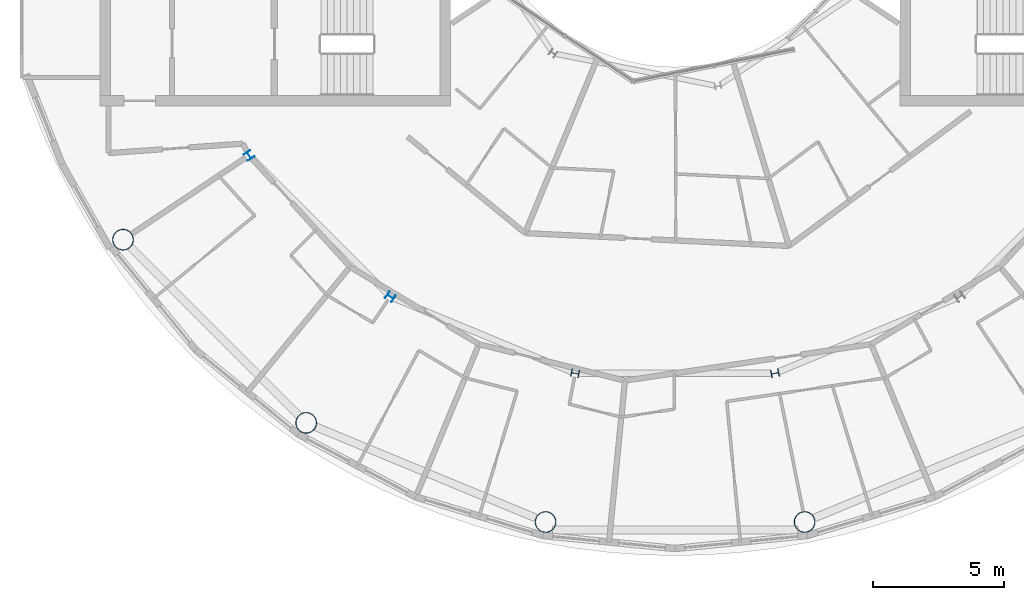
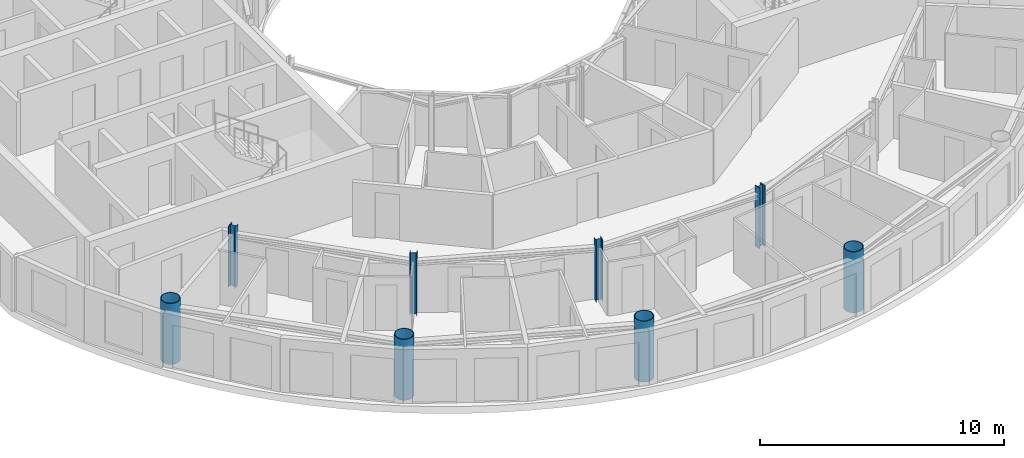
# One storey, part 1 of 22: 8 columns.
"""IFC4 building model written with IfcOpenShell, lengths in metres."""

from ifc_helpers import new_model, si_unit, direction, frame, origin, origin_2d, place, context, subcontext, project, spatial, hollow_circle, i_section, extrude, material, material_profile, profile_set, type_object, element, save


model = new_model("IFC4")

# Units and contexts
model_context = context("Model", 3, precision=1e-05, world=origin(), true_north=direction((0.0, 1.0)))
body_context = subcontext(model_context, "Body", "Model", "MODEL_VIEW")
ifc_project = project(units=[si_unit("LENGTHUNIT", "METRE"), si_unit("AREAUNIT", "SQUARE_METRE"), si_unit("VOLUMEUNIT", "CUBIC_METRE"), si_unit("PLANEANGLEUNIT", "RADIAN"), si_unit("MASSUNIT", "GRAM", prefix="KILO")], contexts=[model_context])

# Site, building, storey
site_placement = place(None, origin())
site = spatial("IfcSite", under=ifc_project, at=site_placement, CompositionType="ELEMENT")
building_placement = place(site_placement, origin())
building = spatial("IfcBuilding", under=site, at=building_placement, Name="Maasbend Ring Residences", CompositionType="ELEMENT")
storey_placement = place(building_placement, frame((0.0, 0.0, 237.10009765625)))
storey = spatial("IfcBuildingStorey", under=building, at=storey_placement, Name="L68", CompositionType="ELEMENT", Elevation=237.10009765625)

# Columns
ifc_material_1 = material(Name="Composite concrete-filled steel tube S460NH / C80/95", Category="concrete")
ifc_material_profile_1 = material_profile(ifc_material_1, hollow_circle(Radius=0.406494140625, WallThickness=0.030029296875, at=origin_2d()), Name="Composite tube column CHS 813x30")
ifc_profile_set_1 = profile_set([ifc_material_profile_1], Name="Composite concrete-filled steel tube S460NH / C80/95")
column_type_1 = type_object("IfcColumnType", Name="Composite tube column CHS 813x30", PredefinedType="COLUMN", material=ifc_profile_set_1)
for number, where, z_axis, x_axis, name in (
    (1, (-21.119384765625, -14.111572265625, 0.0), (0.0, 0.0, 1.0), (1.0, 0.0, 0.0), "Outer column R10"),
    (2, (-14.111572265625, -21.119384765625, 0.0), (0.0, 0.0, 1.0), (1.0, 0.0, 0.0), "Outer column R11"),
    (3, (-4.955322265625, -24.911865234375, 0.0), (0.0, 0.0, 1.0), (1.0, 0.0, 0.0), "Outer column R12"),
    (4, (4.955322265625, -24.911865234375, 0.0), (0.0, 0.0, 1.0), (1.0, 0.0, 0.0), "Outer column R13"),
):
    element("IfcColumn", number, at=place(storey_placement, frame(where, z_axis=z_axis, x_axis=x_axis)), inside=storey, type_object=column_type_1, Name=name, PredefinedType="COLUMN", context=body_context, shape_type="SweptSolid", body=[
        extrude(hollow_circle(Radius=0.406494140625, WallThickness=0.030029296875, at=origin_2d()), origin(), (0.0, 0.0, 1.0), 3.0498046875),
    ])
ifc_material_2 = material(Name="Steel S355J2", Category="steel")
ifc_material_profile_2 = material_profile(ifc_material_2, i_section(OverallWidth=0.300048828125, OverallDepth=0.300048828125, WebThickness=0.010986328125, FlangeThickness=0.01904296875, FilletRadius=0.027099609375, at=origin_2d()), Name="HEB 300")
ifc_profile_set_2 = profile_set([ifc_material_profile_2], Name="Steel S355J2")
column_type_2 = type_object("IfcColumnType", Name="Steel column HEB 300", PredefinedType="COLUMN", material=ifc_profile_set_2)
for number, where, z_axis, x_axis, name in (
    (5, (-16.296875, -10.88916015625, 0.0), (0.0, 0.0, 1.0), (-0.831469612303, -0.55557023302, 0.0), "Corridor ring column R10"),
    (6, (-10.88916015625, -16.296875, 0.0), (0.0, 0.0, 1.0), (-0.55557023302, -0.831469612303, 0.0), "Corridor ring column R11"),
    (7, (-3.82373046875, -19.223388671875, 0.0), (0.0, 0.0, 1.0), (-0.195090322016, -0.980785280403, 0.0), "Corridor ring column R12"),
    (8, (3.82373046875, -19.223388671875, 0.0), (0.0, 0.0, 1.0), (0.195090322016, -0.980785280403, 0.0), "Corridor ring column R13"),
):
    element("IfcColumn", number, at=place(storey_placement, frame(where, z_axis=z_axis, x_axis=x_axis)), inside=storey, type_object=column_type_2, Name=name, PredefinedType="COLUMN", context=body_context, shape_type="SweptSolid", body=[
        extrude(i_section(OverallWidth=0.300048828125, OverallDepth=0.300048828125, WebThickness=0.010986328125, FlangeThickness=0.01904296875, FilletRadius=0.027099609375, at=origin_2d()), origin(), (0.0, 0.0, 1.0), 3.0498046875),
    ])

save(model, "model.ifc")
